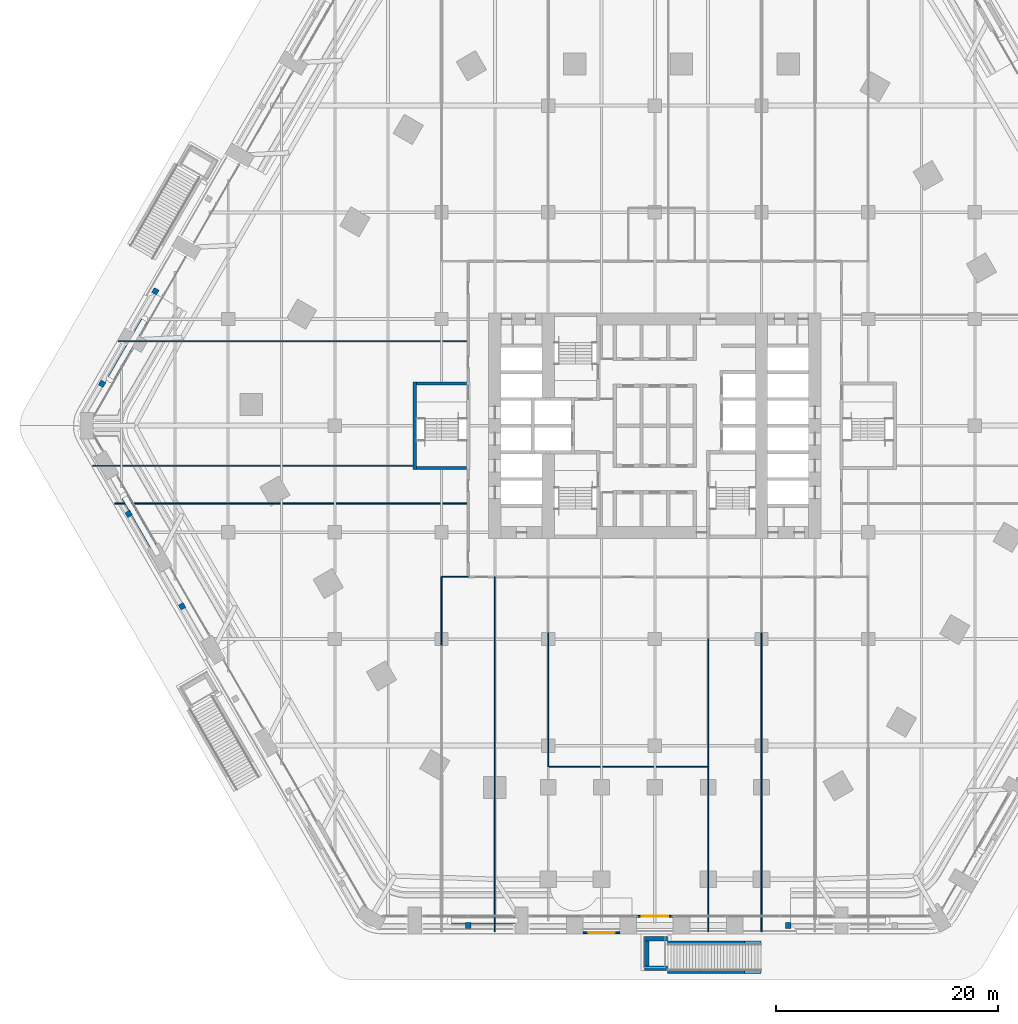
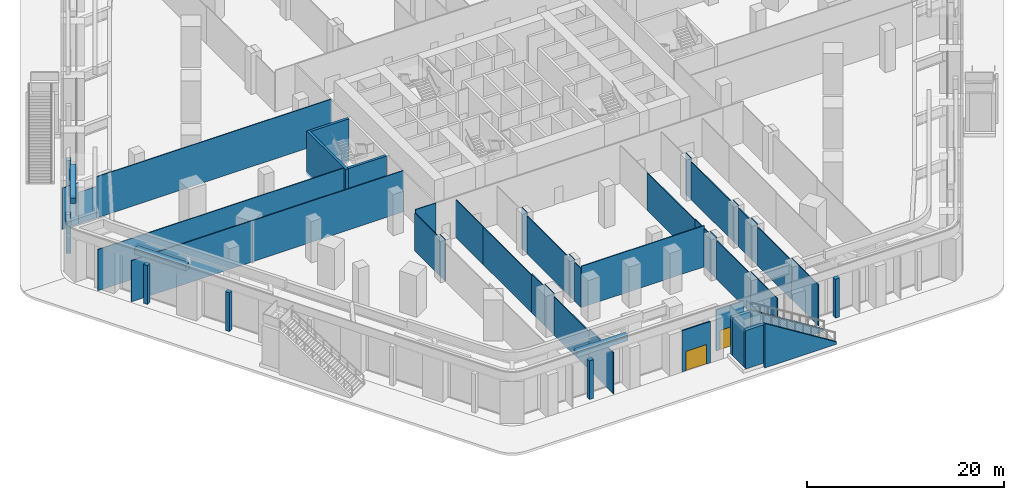
# One storey, part 17 of 34: 50 walls, 2 doors, 2 openings.
"""IFC4 building model written with IfcOpenShell, lengths in metres."""

from ifc_helpers import new_model, si_unit, direction, frame, frame_2d, origin, place, context, subcontext, project, spatial, polyline, rectangle, outline, extrude, material, layer, layer_set, type_object, element, fill, save


model = new_model("IFC4")

# Units and contexts
model_context = context("Model", 3, precision=1e-05, world=origin(), true_north=direction((0.0, 1.0)))
body_context = subcontext(model_context, "Body", "Model", "MODEL_VIEW")
ifc_project = project(units=[si_unit("LENGTHUNIT", "METRE"), si_unit("AREAUNIT", "SQUARE_METRE"), si_unit("VOLUMEUNIT", "CUBIC_METRE"), si_unit("PLANEANGLEUNIT", "RADIAN"), si_unit("MASSUNIT", "GRAM", prefix="KILO")], contexts=[model_context])

# Site, building, storey
site_placement = place(None, origin())
site = spatial("IfcSite", under=ifc_project, at=site_placement, CompositionType="ELEMENT")
building_placement = place(site_placement, origin())
building = spatial("IfcBuilding", under=site, at=building_placement, Name="Kolab Exchange Tower", CompositionType="ELEMENT")
storey_placement = place(building_placement, frame((0.0, 0.0, 7.0)))
storey = spatial("IfcBuildingStorey", under=building, at=storey_placement, Name="L01", CompositionType="ELEMENT", Elevation=7.0)

# Wall, opening, door
ifc_material_1 = material(Name="Aluminium EN AW-6063 T6", Category="aluminium")
ifc_layer_1 = layer(ifc_material_1, 0.159912109375)
ifc_layer_set_1 = layer_set([ifc_layer_1], Name="Aluminium EN AW-6063 T6")
wall_type_1 = type_object("IfcWallType", Name="DOOR SURROUND WALL 160 ALUMINIUM FRAMED", PredefinedType="PARTITIONING", material=ifc_layer_set_1)
wall_1_placement = place(storey_placement, frame((1.617919921875, -44.146240234375, 0.0), z_axis=(0.0, 0.0, 1.0), x_axis=(-1.0, 0.0, 0.0)))
wall_1 = element("IfcWall", 1, at=wall_1_placement, inside=storey, type_object=wall_type_1, Name="Door surround wall", PredefinedType="PARTITIONING", context=body_context, shape_type="SweptSolid", body=[
    extrude(rectangle(XDim=3.23583984375, YDim=0.159912109375, at=frame_2d((1.617919921875, 0.0))), origin(), (0.0, 0.0, 1.0), 5.10009765625),
])
opening_1_placement = place(wall_1_placement, frame((0.41796875, 0.0, 0.0)))
opening_1 = element("IfcOpeningElement", 2, at=opening_1_placement, cuts=wall_1, Name="Opening GD1-002", PredefinedType="OPENING", context=body_context, shape_type="SweptSolid", body=[
    extrude(rectangle(XDim=2.39990234375, YDim=2.39990234375, at=frame_2d((1.199951171875, 1.199951171875))), frame((0.0, 0.08984375, 0.0), z_axis=(0.0, -1.0, 0.0), x_axis=(1.0, 0.0, 0.0)), (0.0, 0.0, 1.0), 0.179931640625),
])
door_type = type_object("IfcDoorType", Name="LOGGIA SLIDING GLASS DOOR 2400 X 2400", OperationType="DOUBLE_DOOR_SINGLE_SWING", PredefinedType="DOOR", material=ifc_material_1)
door_1_placement = place(opening_1_placement, origin())
door_1 = element("IfcDoor", 3, at=door_1_placement, inside=storey, type_object=door_type, Name="Loggia door", OperationType="DOUBLE_DOOR_SLIDING", OverallHeight=2.39990234375, OverallWidth=2.39990234375, PredefinedType="DOOR", context=body_context, shape_type="SweptSolid", body=[
    extrude(rectangle(XDim=2.39990234375, YDim=2.39990234375, at=frame_2d((1.199951171875, 1.199951171875))), frame((0.0, 0.02490234375, 0.0), z_axis=(0.0, -1.0, 0.0), x_axis=(1.0, 0.0, 0.0)), (0.0, 0.0, 1.0), 0.050048828125),
])
fill(opening_1, door_1)

wall_2_placement = place(storey_placement, frame((-3.154052734375, -45.626220703125, 0.0), z_axis=(0.0, 0.0, 1.0), x_axis=(-1.0, 0.0, 0.0)))
wall_2 = element("IfcWall", 4, at=wall_2_placement, inside=storey, type_object=wall_type_1, Name="Door surround wall", PredefinedType="PARTITIONING", context=body_context, shape_type="SweptSolid", body=[
    extrude(rectangle(XDim=3.2919921875, YDim=0.159912109375, at=frame_2d((1.64599609375, 0.0))), origin(), (0.0, 0.0, 1.0), 5.10009765625),
])
opening_2_placement = place(wall_2_placement, frame((0.446044921875, 0.0, 0.0)))
opening_2 = element("IfcOpeningElement", 5, at=opening_2_placement, cuts=wall_2, Name="Opening GD1-004", PredefinedType="OPENING", context=body_context, shape_type="SweptSolid", body=[
    extrude(rectangle(XDim=2.39990234375, YDim=2.39990234375, at=frame_2d((1.199951171875, 1.199951171875))), frame((0.0, 0.08984375, 0.0), z_axis=(0.0, -1.0, 0.0), x_axis=(1.0, 0.0, 0.0)), (0.0, 0.0, 1.0), 0.179931640625),
])
door_2_placement = place(opening_2_placement, origin())
door_2 = element("IfcDoor", 6, at=door_2_placement, inside=storey, type_object=door_type, Name="Terrace door", OperationType="DOUBLE_DOOR_SLIDING", OverallHeight=2.39990234375, OverallWidth=2.39990234375, PredefinedType="DOOR", context=body_context, shape_type="SweptSolid", body=[
    extrude(rectangle(XDim=2.39990234375, YDim=2.39990234375, at=frame_2d((1.199951171875, 1.199951171875))), frame((0.0, 0.02490234375, 0.0), z_axis=(0.0, -1.0, 0.0), x_axis=(1.0, 0.0, 0.0)), (0.0, 0.0, 1.0), 0.050048828125),
])
fill(opening_2, door_2)

# Walls
ifc_material_2 = material(Name="Gypsum board", Category="gypsum")
ifc_layer_2 = layer(ifc_material_2, 0.10009765625)
ifc_layer_set_2 = layer_set([ifc_layer_2], Name="Gypsum board")
wall_type_2 = type_object("IfcWallType", Name="PARTITION 100", PredefinedType="PARTITIONING", material=ifc_layer_set_2)
wall_3_placement = place(storey_placement, frame((9.60009765625, -28.239990234375, 0.0), z_axis=(0.0, 0.0, 1.0), x_axis=(0.0, 1.0, 0.0)))
element("IfcWall", 7, at=wall_3_placement, inside=storey, type_object=wall_type_2, Name="Partition 008", PredefinedType="PARTITIONING", context=body_context, shape_type="SweptSolid", body=[
    extrude(rectangle(XDim=8.47998046875, YDim=0.10009765625, at=frame_2d((4.239990234375, 0.0))), origin(), (0.0, 0.0, 1.0), 4.693115234375),
])
wall_4_placement = place(storey_placement, frame((9.60009765625, -45.55615234375, 0.0), z_axis=(0.0, 0.0, 1.0), x_axis=(0.0, 1.0, 0.0)))
element("IfcWall", 8, at=wall_4_placement, inside=storey, type_object=wall_type_2, Name="Partition 008", PredefinedType="PARTITIONING", context=body_context, shape_type="SweptSolid", body=[
    extrude(rectangle(XDim=5.447021484375, YDim=0.10009765625, at=frame_2d((2.7236328125, 0.0))), origin(), (0.0, 0.0, 1.0), 5.10009765625),
])
wall_5_placement = place(storey_placement, frame((9.60009765625, -40.109130859375, 0.0), z_axis=(0.0, 0.0, 1.0), x_axis=(0.0, 1.0, 0.0)))
element("IfcWall", 9, at=wall_5_placement, inside=storey, type_object=wall_type_2, Name="Partition 008", PredefinedType="PARTITIONING", context=body_context, shape_type="SweptSolid", body=[
    extrude(rectangle(XDim=6.893798828125, YDim=0.10009765625, at=frame_2d((3.44677734375, 0.0))), origin(), (0.0, 0.0, 1.0), 4.7900390625),
])
wall_6_placement = place(storey_placement, frame((9.60009765625, -33.21533203125, 0.0), z_axis=(0.0, 0.0, 1.0), x_axis=(0.0, 1.0, 0.0)))
element("IfcWall", 10, at=wall_6_placement, inside=storey, type_object=wall_type_2, Name="Partition 008", PredefinedType="PARTITIONING", context=body_context, shape_type="SweptSolid", body=[
    extrude(rectangle(XDim=1.31982421875, YDim=0.10009765625, at=frame_2d((0.659912109375, 0.0))), origin(), (0.0, 0.0, 1.0), 5.10009765625),
])
wall_7_placement = place(storey_placement, frame((9.60009765625, -31.8955078125, 0.0), z_axis=(0.0, 0.0, 1.0), x_axis=(0.0, 1.0, 0.0)))
element("IfcWall", 11, at=wall_7_placement, inside=storey, type_object=wall_type_2, Name="Partition 008", PredefinedType="PARTITIONING", context=body_context, shape_type="SweptSolid", body=[
    extrude(rectangle(XDim=2.535400390625, YDim=0.10009765625, at=frame_2d((1.267578125, 0.0))), origin(), (0.0, 0.0, 1.0), 4.7900390625),
])
for number, where, z_axis, x_axis, name in (
    (12, (9.60009765625, -29.360107421875, 0.0), (0.0, 0.0, 1.0), (0.0, 1.0, 0.0), "Partition 008"),
    (13, (9.60009765625, -19.760009765625, 0.0), (0.0, 0.0, 1.0), (0.0, 1.0, 0.0), "Partition 008"),
):
    element("IfcWall", number, at=place(storey_placement, frame(where, z_axis=z_axis, x_axis=x_axis)), inside=storey, type_object=wall_type_2, Name=name, PredefinedType="PARTITIONING", context=body_context, shape_type="SweptSolid", body=[
        extrude(rectangle(XDim=1.1201171875, YDim=0.10009765625, at=frame_2d((0.56005859375, 0.0))), origin(), (0.0, 0.0, 1.0), 5.10009765625),
    ])
wall_8_placement = place(storey_placement, frame((4.800048828125, -28.8740234375, 0.0), z_axis=(0.0, 0.0, 1.0), x_axis=(0.0, 1.0, 0.0)))
element("IfcWall", 14, at=wall_8_placement, inside=storey, type_object=wall_type_2, Name="Partition 010", PredefinedType="PARTITIONING", context=body_context, shape_type="SweptSolid", body=[
    extrude(rectangle(XDim=9.748046875, YDim=0.10009765625, at=frame_2d((4.8740234375, 0.0))), origin(), (0.0, 0.0, 1.0), 4.64306640625),
])
wall_9_placement = place(storey_placement, frame((4.800048828125, -45.55615234375, 0.0), z_axis=(0.0, 0.0, 1.0), x_axis=(0.0, 1.0, 0.0)))
element("IfcWall", 15, at=wall_9_placement, inside=storey, type_object=wall_type_2, Name="Partition 010", PredefinedType="PARTITIONING", context=body_context, shape_type="SweptSolid", body=[
    extrude(rectangle(XDim=5.447021484375, YDim=0.10009765625, at=frame_2d((2.7236328125, 0.0))), origin(), (0.0, 0.0, 1.0), 5.10009765625),
])
wall_10_placement = place(storey_placement, frame((4.800048828125, -40.109130859375, 0.0), z_axis=(0.0, 0.0, 1.0), x_axis=(0.0, 1.0, 0.0)))
element("IfcWall", 16, at=wall_10_placement, inside=storey, type_object=wall_type_2, Name="Partition 010", PredefinedType="PARTITIONING", context=body_context, shape_type="SweptSolid", body=[
    extrude(rectangle(XDim=6.893798828125, YDim=0.10009765625, at=frame_2d((3.44677734375, 0.0))), origin(), (0.0, 0.0, 1.0), 4.7900390625),
])
wall_11_placement = place(storey_placement, frame((4.800048828125, -33.21533203125, 0.0), z_axis=(0.0, 0.0, 1.0), x_axis=(0.0, 1.0, 0.0)))
element("IfcWall", 17, at=wall_11_placement, inside=storey, type_object=wall_type_2, Name="Partition 010", PredefinedType="PARTITIONING", context=body_context, shape_type="SweptSolid", body=[
    extrude(rectangle(XDim=1.31982421875, YDim=0.10009765625, at=frame_2d((0.659912109375, 0.0))), origin(), (0.0, 0.0, 1.0), 5.10009765625),
])
wall_12_placement = place(storey_placement, frame((4.800048828125, -31.8955078125, 0.0), z_axis=(0.0, 0.0, 1.0), x_axis=(0.0, 1.0, 0.0)))
element("IfcWall", 18, at=wall_12_placement, inside=storey, type_object=wall_type_2, Name="Partition 010", PredefinedType="PARTITIONING", context=body_context, shape_type="SweptSolid", body=[
    extrude(rectangle(XDim=3.021484375, YDim=0.10009765625, at=frame_2d((1.5107421875, 0.0))), origin(), (0.0, 0.0, 1.0), 4.7900390625),
])
wall_13_placement = place(storey_placement, frame((-9.60009765625, -28.239990234375, 0.0), z_axis=(0.0, 0.0, 1.0), x_axis=(0.0, 1.0, 0.0)))
element("IfcWall", 19, at=wall_13_placement, inside=storey, type_object=wall_type_2, Name="Partition 016", PredefinedType="PARTITIONING", context=body_context, shape_type="SweptSolid", body=[
    extrude(rectangle(XDim=8.47998046875, YDim=0.10009765625, at=frame_2d((4.239990234375, 0.0))), origin(), (0.0, 0.0, 1.0), 4.693115234375),
])
wall_14_placement = place(storey_placement, frame((-9.60009765625, -30.677734375, 0.0), z_axis=(0.0, 0.0, 1.0), x_axis=(0.0, 1.0, 0.0)))
element("IfcWall", 20, at=wall_14_placement, inside=storey, type_object=wall_type_2, Name="Partition 016", PredefinedType="PARTITIONING", context=body_context, shape_type="SweptSolid", body=[
    extrude(rectangle(XDim=1.317626953125, YDim=0.10009765625, at=frame_2d((0.65869140625, 0.0))), origin(), (0.0, 0.0, 1.0), 4.7900390625),
])
for number, where, z_axis, x_axis, name in (
    (21, (-9.60009765625, -29.360107421875, 0.0), (0.0, 0.0, 1.0), (0.0, 1.0, 0.0), "Partition 016"),
    (22, (-9.60009765625, -19.760009765625, 0.0), (0.0, 0.0, 1.0), (0.0, 1.0, 0.0), "Partition 016"),
):
    element("IfcWall", number, at=place(storey_placement, frame(where, z_axis=z_axis, x_axis=x_axis)), inside=storey, type_object=wall_type_2, Name=name, PredefinedType="PARTITIONING", context=body_context, shape_type="SweptSolid", body=[
        extrude(rectangle(XDim=1.1201171875, YDim=0.10009765625, at=frame_2d((0.56005859375, 0.0))), origin(), (0.0, 0.0, 1.0), 5.10009765625),
    ])
wall_15_placement = place(storey_placement, frame((-14.39990234375, -28.9599609375, 0.0), z_axis=(0.0, 0.0, 1.0), x_axis=(0.0, 1.0, 0.0)))
element("IfcWall", 23, at=wall_15_placement, inside=storey, type_object=wall_type_2, Name="Partition 019", PredefinedType="PARTITIONING", context=body_context, shape_type="SweptSolid", body=[
    extrude(rectangle(XDim=9.833984375, YDim=0.10009765625, at=frame_2d((4.9169921875, 0.0))), origin(), (0.0, 0.0, 1.0), 4.64306640625),
])
wall_16_placement = place(storey_placement, frame((-14.39990234375, -45.55615234375, 0.0), z_axis=(0.0, 0.0, 1.0), x_axis=(0.0, 1.0, 0.0)))
element("IfcWall", 24, at=wall_16_placement, inside=storey, type_object=wall_type_2, Name="Partition 019", PredefinedType="PARTITIONING", context=body_context, shape_type="SweptSolid", body=[
    extrude(rectangle(XDim=4.89697265625, YDim=0.10009765625, at=frame_2d((2.448486328125, 0.0))), origin(), (0.0, 0.0, 1.0), 5.10009765625),
])
wall_17_placement = place(storey_placement, frame((-14.39990234375, -40.6591796875, 0.0), z_axis=(0.0, 0.0, 1.0), x_axis=(0.0, 1.0, 0.0)))
element("IfcWall", 25, at=wall_17_placement, inside=storey, type_object=wall_type_2, Name="Partition 019", PredefinedType="PARTITIONING", context=body_context, shape_type="SweptSolid", body=[
    extrude(rectangle(XDim=7.143798828125, YDim=0.10009765625, at=frame_2d((3.57177734375, 0.0))), origin(), (0.0, 0.0, 1.0), 4.7451171875),
])
wall_18_placement = place(storey_placement, frame((-14.39990234375, -33.515380859375, 0.0), z_axis=(0.0, 0.0, 1.0), x_axis=(0.0, 1.0, 0.0)))
element("IfcWall", 26, at=wall_18_placement, inside=storey, type_object=wall_type_2, Name="Partition 019", PredefinedType="PARTITIONING", context=body_context, shape_type="SweptSolid", body=[
    extrude(rectangle(XDim=1.919921875, YDim=0.10009765625, at=frame_2d((0.9599609375, 0.0))), origin(), (0.0, 0.0, 1.0), 5.10009765625),
])
wall_19_placement = place(storey_placement, frame((-14.39990234375, -31.595458984375, 0.0), z_axis=(0.0, 0.0, 1.0), x_axis=(0.0, 1.0, 0.0)))
element("IfcWall", 27, at=wall_19_placement, inside=storey, type_object=wall_type_2, Name="Partition 019", PredefinedType="PARTITIONING", context=body_context, shape_type="SweptSolid", body=[
    extrude(rectangle(XDim=2.635498046875, YDim=0.10009765625, at=frame_2d((1.31787109375, 0.0))), origin(), (0.0, 0.0, 1.0), 4.7900390625),
])
wall_20_placement = place(storey_placement, frame((-14.39990234375, -19.1259765625, 0.0), z_axis=(0.0, 0.0, 1.0), x_axis=(0.0, 1.0, 0.0)))
element("IfcWall", 28, at=wall_20_placement, inside=storey, type_object=wall_type_2, Name="Partition 019", PredefinedType="PARTITIONING", context=body_context, shape_type="SweptSolid", body=[
    extrude(rectangle(XDim=5.52587890625, YDim=0.10009765625, at=frame_2d((2.762939453125, 0.0))), origin(), (0.0, 0.0, 1.0), 4.693115234375),
])
wall_21_placement = place(storey_placement, frame((-19.199951171875, -19.760009765625, 0.0), z_axis=(0.0, 0.0, 1.0), x_axis=(0.0, 1.0, 0.0)))
element("IfcWall", 29, at=wall_21_placement, inside=storey, type_object=wall_type_2, Name="Partition 022", PredefinedType="PARTITIONING", context=body_context, shape_type="SweptSolid", body=[
    extrude(rectangle(XDim=1.1201171875, YDim=0.10009765625, at=frame_2d((0.56005859375, 0.0))), origin(), (0.0, 0.0, 1.0), 5.10009765625),
])
wall_22_placement = place(storey_placement, frame((-19.199951171875, -18.639892578125, 0.0), z_axis=(0.0, 0.0, 1.0), x_axis=(0.0, 1.0, 0.0)))
element("IfcWall", 30, at=wall_22_placement, inside=storey, type_object=wall_type_2, Name="Partition 022", PredefinedType="PARTITIONING", context=body_context, shape_type="SweptSolid", body=[
    extrude(rectangle(XDim=5.039794921875, YDim=0.10009765625, at=frame_2d((2.52001953125, 0.0))), origin(), (0.0, 0.0, 1.0), 4.693115234375),
])
wall_23_placement = place(storey_placement, frame((-9.60009765625, -30.677734375, 0.0), z_axis=(0.0, 0.0, 1.0), x_axis=(1.0, 0.0, 0.0)))
element("IfcWall", 31, at=wall_23_placement, inside=storey, type_object=wall_type_2, Name="Partition 024", PredefinedType="PARTITIONING", context=body_context, shape_type="SweptSolid", body=[
    extrude(rectangle(XDim=14.400146484375, YDim=0.10009765625, at=frame_2d((7.2001953125, 0.0))), origin(), (0.0, 0.0, 1.0), 5.10009765625),
])
wall_24_placement = place(storey_placement, frame((-19.199951171875, -13.60009765625, 0.0), z_axis=(0.0, 0.0, 1.0), x_axis=(1.0, 0.0, 0.0)))
element("IfcWall", 32, at=wall_24_placement, inside=storey, type_object=wall_type_2, Name="Partition 025", PredefinedType="PARTITIONING", context=body_context, shape_type="SweptSolid", body=[
    extrude(rectangle(XDim=2.39990234375, YDim=0.10009765625, at=frame_2d((1.199951171875, 0.0))), origin(), (0.0, 0.0, 1.0), 5.10009765625),
])
wall_25_placement = place(storey_placement, frame((-48.6201171875, -7.0, 0.0), z_axis=(0.0, 0.0, 1.0), x_axis=(1.0, 0.0, 0.0)))
element("IfcWall", 33, at=wall_25_placement, inside=storey, type_object=wall_type_2, Name="Partition 028", PredefinedType="PARTITIONING", context=body_context, shape_type="SweptSolid", body=[
    extrude(rectangle(XDim=31.820068359375, YDim=0.10009765625, at=frame_2d((15.91015625, 0.0))), origin(), (0.0, 0.0, 1.0), 5.10009765625),
])
wall_26_placement = place(storey_placement, frame((-50.5830078125, -3.60009765625, 0.0), z_axis=(0.0, 0.0, 1.0), x_axis=(1.0, 0.0, 0.0)))
element("IfcWall", 34, at=wall_26_placement, inside=storey, type_object=wall_type_2, Name="Partition 031", PredefinedType="PARTITIONING", context=body_context, shape_type="SweptSolid", body=[
    extrude(rectangle(XDim=28.8330078125, YDim=0.10009765625, at=frame_2d((14.41650390625, 0.0))), origin(), (0.0, 0.0, 1.0), 5.10009765625),
])
wall_27_placement = place(storey_placement, frame((-44.286376953125, 7.60009765625, 0.0), z_axis=(0.0, 0.0, 1.0), x_axis=(1.0, 0.0, 0.0)))
element("IfcWall", 35, at=wall_27_placement, inside=storey, type_object=wall_type_2, Name="Partition 034", PredefinedType="PARTITIONING", context=body_context, shape_type="SweptSolid", body=[
    extrude(rectangle(XDim=27.486328125, YDim=0.10009765625, at=frame_2d((13.7431640625, 0.0))), origin(), (0.0, 0.0, 1.0), 5.10009765625),
])
wall_28_placement = place(storey_placement, frame((-48.273681640625, 7.60009765625, 0.0), z_axis=(0.0, 0.0, 1.0), x_axis=(1.0, 0.0, 0.0)))
element("IfcWall", 36, at=wall_28_placement, inside=storey, type_object=wall_type_2, Name="Partition 034", PredefinedType="PARTITIONING", context=body_context, shape_type="SweptSolid", body=[
    extrude(rectangle(XDim=1.906982421875, YDim=0.10009765625, at=frame_2d((0.95361328125, 0.0))), origin(), (0.0, 0.0, 1.0), 5.10009765625),
])
wall_29_placement = place(storey_placement, frame((-46.36669921875, 7.60009765625, 0.0), z_axis=(0.0, 0.0, 1.0), x_axis=(1.0, 0.0, 0.0)))
element("IfcWall", 37, at=wall_29_placement, inside=storey, type_object=wall_type_2, Name="Partition 034", PredefinedType="PARTITIONING", context=body_context, shape_type="SweptSolid", body=[
    extrude(rectangle(XDim=2.080322265625, YDim=0.10009765625, at=frame_2d((1.0400390625, 0.0))), origin(), (0.0, 0.0, 1.0), 3.89990234375),
])
ifc_material_3 = material(Name="Granite facing", Category="masonry")
ifc_layer_3 = layer(ifc_material_3, 0.0400390625)
ifc_material_4 = material(Name="Concrete C40/50 precast", Category="concrete")
ifc_layer_4 = layer(ifc_material_4, 0.56005859375)
ifc_layer_set_3 = layer_set([ifc_layer_3, ifc_layer_4], Name="Concrete C40/50 precast")
wall_type_3 = type_object("IfcWallType", Name="PLANTER BOX 600 X 700 SOIL DEPTH 550", PredefinedType="USERDEFINED", material=ifc_layer_set_3)
for number, where, z_axis, x_axis, name in (
    (38, (-12.294189453125, -44.526123046875, 5.39990234375), (0.0, 0.0, 1.0), (-1.0, 0.0, 0.0), "Planter"),
    (39, (-44.707763671875, -11.615966796875, 5.39990234375), (0.0, 0.0, 1.0), (-0.500007758305, 0.866020924479, 0.0), "Planter"),
    (40, (-48.941162109375, 4.28369140625, 5.39990234375), (0.0, 0.0, 1.0), (0.500007758305, 0.866020924479, 0.0), "Planter"),
):
    element("IfcWall", number, at=place(storey_placement, frame(where, z_axis=z_axis, x_axis=x_axis)), inside=storey, type_object=wall_type_3, Name=name, ObjectType="PLANTER", PredefinedType="USERDEFINED", context=body_context, shape_type="SweptSolid", body=[
        extrude(rectangle(XDim=6.0, YDim=0.60009765625, at=frame_2d((3.0, 0.0))), origin(), (0.0, 0.0, 1.0), 0.7001953125),
    ])
ifc_layer_5 = layer(ifc_material_3, 0.0400390625)
ifc_material_5 = material(Name="Concrete C40/50", Category="concrete")
ifc_layer_6 = layer(ifc_material_5, 0.2099609375)
ifc_layer_set_4 = layer_set([ifc_layer_5, ifc_layer_6], Name="Concrete C40/50")
wall_type_4 = type_object("IfcWallType", Name="STAIR CHEEK WALL 250", PredefinedType="SOLIDWALL", material=ifc_layer_set_4)
for number, where, z_axis, x_axis, name in (
    (41, (9.56005859375, -49.151123046875, 0.0), (0.0, 0.0, 1.0), (-1.0, 0.0, 0.0), "Stair cheek wall"),
    (42, (9.56005859375, -46.501220703125, 0.0), (0.0, 0.0, 1.0), (-1.0, 0.0, 0.0), "Stair cheek wall"),
):
    element("IfcWall", number, at=place(storey_placement, frame(where, z_axis=z_axis, x_axis=x_axis)), inside=storey, type_object=wall_type_4, Name=name, PredefinedType="SOLIDWALL", context=body_context, shape_type="SweptSolid", body=[
        extrude(outline(polyline([(0.0, 0.0), (8.400146484375, 0.0), (8.39990234375, 5.5), (0.0, 0.274169921875), (0.0, 0.0)])), frame((0.0, 0.125, 0.0), z_axis=(0.0, -1.0, 0.0), x_axis=(1.0, 0.0, 0.0)), (0.0, 0.0, 1.0), 0.25),
    ])
ifc_material_6 = material(Name="Concrete C50/60", Category="concrete")
ifc_layer_7 = layer(ifc_material_6, 0.300048828125)
ifc_layer_set_5 = layer_set([ifc_layer_7], Name="Concrete C50/60")
wall_type_5 = type_object("IfcWallType", Name="STAIR ENCLOSURE WALL 300 C50/60", PredefinedType="STANDARD", material=ifc_layer_set_5)
for number, where, z_axis, x_axis, name in (
    (43, (-21.449951171875, -3.800048828125, -0.300048828125), (0.0, 0.0, 1.0), (1.0, 0.0, 0.0), "wall/L01/core/012"),
    (44, (-21.449951171875, 3.800048828125, -0.300048828125), (0.0, 0.0, 1.0), (1.0, 0.0, 0.0), "wall/L01/core/040"),
):
    element("IfcWall", number, at=place(storey_placement, frame(where, z_axis=z_axis, x_axis=x_axis)), inside=storey, type_object=wall_type_5, Name=name, PredefinedType="STANDARD", context=body_context, shape_type="SweptSolid", body=[
        extrude(rectangle(XDim=4.5, YDim=0.300048828125, at=frame_2d((2.25, 0.0))), origin(), (0.0, 0.0, 1.0), 5.400146484375),
    ])
wall_30_placement = place(storey_placement, frame((-21.60009765625, -3.949951171875, -0.300048828125), z_axis=(0.0, 0.0, 1.0), x_axis=(0.0, 1.0, 0.0)))
element("IfcWall", 45, at=wall_30_placement, inside=storey, type_object=wall_type_5, Name="wall/L01/core/055", PredefinedType="STANDARD", context=body_context, shape_type="SweptSolid", body=[
    extrude(rectangle(XDim=7.89990234375, YDim=0.300048828125, at=frame_2d((3.949951171875, 0.0))), origin(), (0.0, 0.0, 1.0), 5.400146484375),
])
ifc_layer_8 = layer(ifc_material_5, 0.39990234375)
ifc_layer_set_6 = layer_set([ifc_layer_8], Name="Concrete C40/50")
wall_type_6 = type_object("IfcWallType", Name="STAIR LANDING SUPPORT PIER 2100 X 400", PredefinedType="SOLIDWALL", material=ifc_layer_set_6)
for number, where, z_axis, x_axis, name in (
    (46, (1.159912109375, -48.826171875, 0.449951171875), (0.0, 0.0, 1.0), (-1.0, 0.0, 0.0), "Stair landing support pier"),
    (47, (1.159912109375, -46.176025390625, 0.449951171875), (0.0, 0.0, 1.0), (-1.0, 0.0, 0.0), "Stair landing support pier"),
):
    element("IfcWall", number, at=place(storey_placement, frame(where, z_axis=z_axis, x_axis=x_axis)), inside=storey, type_object=wall_type_6, Name=name, PredefinedType="SOLIDWALL", context=body_context, shape_type="SweptSolid", body=[
        extrude(rectangle(XDim=2.099853515625, YDim=0.39990234375, at=frame_2d((1.0498046875, 0.0))), origin(), (0.0, 0.0, 1.0), 4.75),
    ])
wall_31_placement = place(storey_placement, frame((-0.739990234375, -46.376220703125, 0.449951171875), z_axis=(0.0, 0.0, 1.0), x_axis=(0.0, -1.0, 0.0)))
element("IfcWall", 48, at=wall_31_placement, inside=storey, type_object=wall_type_6, Name="Stair landing support pier", PredefinedType="SOLIDWALL", context=body_context, shape_type="SweptSolid", body=[
    extrude(rectangle(XDim=2.25, YDim=0.39990234375, at=frame_2d((1.125, 0.0))), origin(), (0.0, 0.0, 1.0), 4.75),
])
ifc_layer_9 = layer(ifc_material_3, 0.5)
ifc_layer_set_7 = layer_set([ifc_layer_9], Name="Granite facing")
wall_type_7 = type_object("IfcWallType", Name="STONE FACADE FIN 500 X 500", PredefinedType="SOLIDWALL", material=ifc_layer_set_7)
for number, where, z_axis, x_axis, name in (
    (49, (12.25, -44.97607421875, 0.0), (0.0, 0.0, 1.0), (-1.0, 0.0, 0.0), "Stone facade fin"),
    (50, (-16.550048828125, -44.97607421875, 0.0), (0.0, 0.0, 1.0), (-1.0, 0.0, 0.0), "Stone facade fin"),
    (51, (-42.425048828125, -16.469482421875, 0.0), (0.0, 0.0, 1.0), (-0.499919672301, 0.866071776036, 0.0), "Stone facade fin"),
    (52, (-47.22509765625, -8.155517578125, 0.0), (0.0, 0.0, 1.0), (-0.499919672301, 0.866071776036, 0.0), "Stone facade fin"),
    (53, (-49.875, 3.5654296875, 0.0), (0.0, 0.0, 1.0), (0.499919672301, 0.866071776036, 0.0), "Stone facade fin"),
    (54, (-45.074951171875, 11.87939453125, 0.0), (0.0, 0.0, 1.0), (0.499919672301, 0.866071776036, 0.0), "Stone facade fin"),
):
    element("IfcWall", number, at=place(storey_placement, frame(where, z_axis=z_axis, x_axis=x_axis)), inside=storey, type_object=wall_type_7, Name=name, PredefinedType="SOLIDWALL", context=body_context, shape_type="SweptSolid", body=[
        extrude(rectangle(XDim=0.5, YDim=0.5, at=frame_2d((0.25, 0.0))), origin(), (0.0, 0.0, 1.0), 4.800048828125),
    ])

save(model, "model.ifc")
